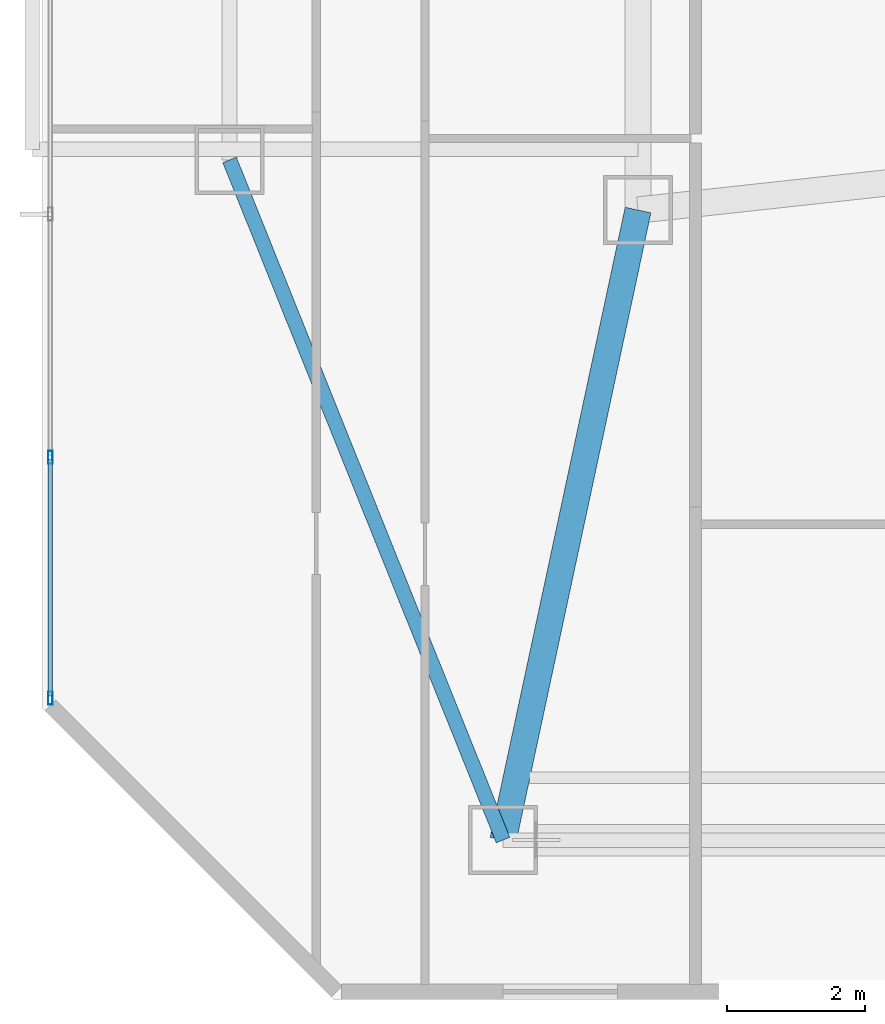
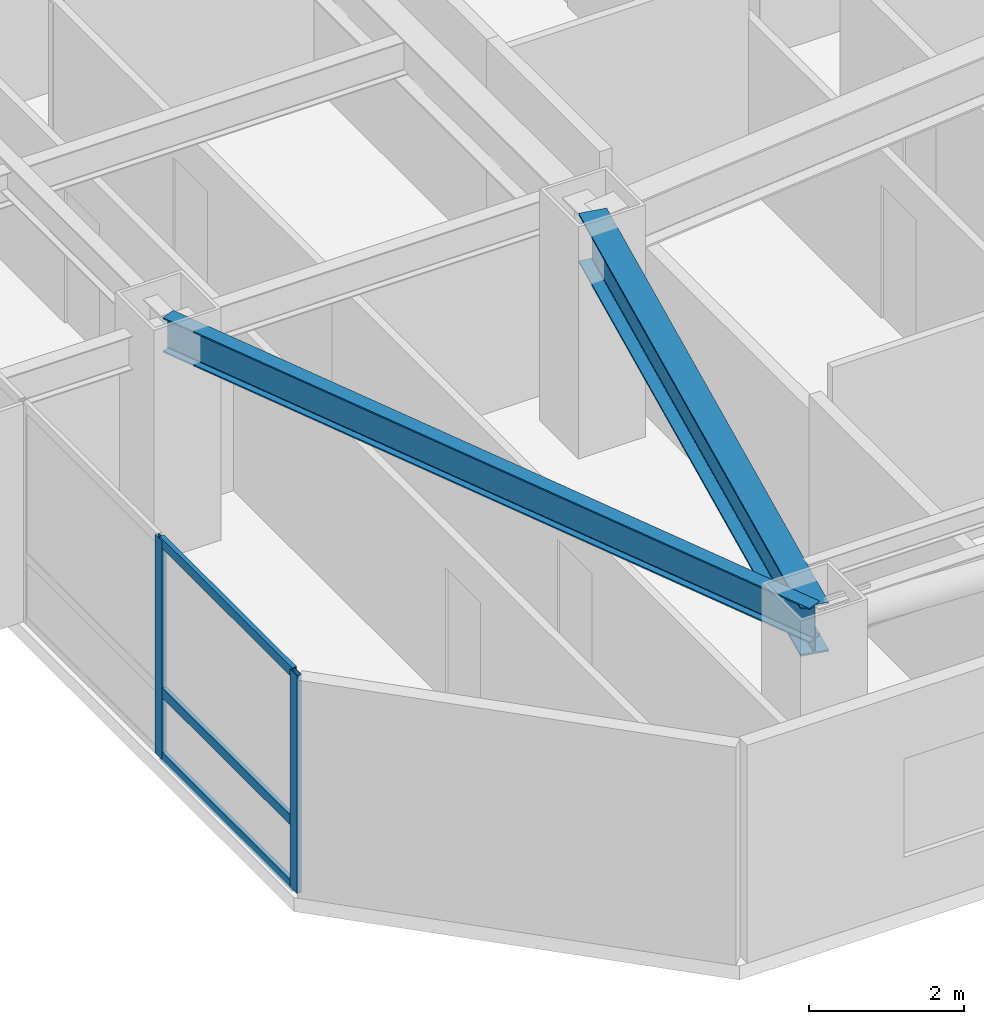
# One storey, part 2 of 18: 5 members, 2 beams, 1 element without a shape of its own.
"""IFC4 building model written with IfcOpenShell, lengths in metres."""

from ifc_helpers import new_model, si_unit, direction, frame, origin, origin_2d, place, context, subcontext, project, spatial, hollow_rectangle, i_section, extrude, material, material_profile, profile_set, type_object, element, aggregate, save


model = new_model("IFC4")

# Units and contexts
model_context = context("Model", 3, precision=1e-05, world=origin(), true_north=direction((0.0, 1.0)))
body_context = subcontext(model_context, "Body", "Model", "MODEL_VIEW")
ifc_project = project(units=[si_unit("LENGTHUNIT", "METRE"), si_unit("AREAUNIT", "SQUARE_METRE"), si_unit("VOLUMEUNIT", "CUBIC_METRE"), si_unit("PLANEANGLEUNIT", "RADIAN"), si_unit("MASSUNIT", "GRAM", prefix="KILO")], contexts=[model_context])

# Site, building, storey
site_placement = place(None, origin())
site = spatial("IfcSite", under=ifc_project, at=site_placement, CompositionType="ELEMENT")
building_placement = place(site_placement, origin())
building = spatial("IfcBuilding", under=site, at=building_placement, Name="Khamvora Tower", CompositionType="ELEMENT")
storey_placement = place(building_placement, frame((0.0, 0.0, 109.199951171875)))
storey = spatial("IfcBuildingStorey", under=building, at=storey_placement, Name="L27", CompositionType="ELEMENT", Elevation=109.199951171875)

# Beams
ifc_material_1 = material(Name="Steel S355", Category="steel")
ifc_material_profile_1 = material_profile(ifc_material_1, i_section(OverallWidth=0.381103515625, OverallDepth=0.77294921875, WebThickness=0.01708984375, FlangeThickness=0.027099609375, FilletRadius=0.01806640625, at=origin_2d()), Name="W760x257")
ifc_profile_set_1 = profile_set([ifc_material_profile_1], Name="Steel S355")
beam_type_1 = type_object("IfcBeamType", Name="BM-PG-W760x257", PredefinedType="BEAM", material=ifc_profile_set_1)
beam_1_placement = place(storey_placement, frame((18.0, 17.800048828125, 3.04296875), z_axis=(-0.209521922673, -0.977803949634, 0.0), x_axis=(0.977803949634, -0.209521922673, 0.0)))
element("IfcBeam", 1, at=beam_1_placement, inside=storey, type_object=beam_type_1, Name="L27 primary floor girder S1", PredefinedType="BEAM", context=body_context, shape_type="SweptSolid", body=[
    extrude(i_section(OverallWidth=0.381103515625, OverallDepth=0.77294921875, WebThickness=0.01708984375, FlangeThickness=0.027099609375, FilletRadius=0.01806640625, at=origin_2d()), origin(), (0.0, 0.0, 1.0), 9.306640625),
])
ifc_material_profile_2 = material_profile(ifc_material_1, i_section(OverallWidth=0.2119140625, OverallDepth=0.5439453125, WebThickness=0.012939453125, FlangeThickness=0.02099609375, FilletRadius=0.013916015625, at=origin_2d()), Name="W530x123")
ifc_profile_set_2 = profile_set([ifc_material_profile_2], Name="Steel S355")
beam_type_2 = type_object("IfcBeamType", Name="BM-SP-W530x123", PredefinedType="SPANDREL", material=ifc_profile_set_2)
beam_2_placement = place(storey_placement, frame((12.10009765625, 18.52490234375, 3.157958984375), z_axis=(0.373015921536, -0.927824941614, 0.0), x_axis=(0.927824941614, 0.373015921536, 0.0)))
element("IfcBeam", 2, at=beam_2_placement, inside=storey, type_object=beam_type_2, Name="L27 perimeter spandrel beam W1-S1", PredefinedType="SPANDREL", context=body_context, shape_type="SweptSolid", body=[
    extrude(i_section(OverallWidth=0.2119140625, OverallDepth=0.5439453125, WebThickness=0.012939453125, FlangeThickness=0.02099609375, FilletRadius=0.013916015625, at=origin_2d()), origin(), (0.0, 0.0, 1.0), 10.589111328125),
])

# Curtain wall, members
ifc_material_2 = material(Name="Anodised Aluminium 6063-T6", Category="aluminium")
curtain_wall_type = type_object("IfcCurtainWallType", Name="CW-SYS-03", PredefinedType="NOTDEFINED", material=ifc_material_2)
curtain_wall_placement = place(storey_placement, origin())
curtain_wall = element("IfcCurtainWall", 3, at=curtain_wall_placement, inside=storey, type_object=curtain_wall_type, Name="L27 stick curtain wall 02.1", PredefinedType="NOTDEFINED")
ifc_material_profile_3 = material_profile(ifc_material_2, hollow_rectangle(XDim=0.06494140625, YDim=0.18994140625, WallThickness=0.0048828125, at=origin_2d()), Name="MUL65x190x5")
ifc_profile_set_3 = profile_set([ifc_material_profile_3], Name="Anodised Aluminium 6063-T6")
member_type_1 = type_object("IfcMemberType", Name="CW-SYS-03-MUL", PredefinedType="MULLION", material=ifc_profile_set_3)
member_1_placement = place(storey_placement, frame((9.510009765625, 10.74951171875, 0.0), z_axis=(0.0, 0.0, 1.0), x_axis=(-1.0, 0.0, 0.0)))
member_1 = element("IfcMember", 4, at=member_1_placement, type_object=member_type_1, Name="CW-03 mullion 1", PredefinedType="MULLION", context=body_context, shape_type="SweptSolid", body=[
    extrude(hollow_rectangle(XDim=0.06494140625, YDim=0.18994140625, WallThickness=0.0048828125, at=origin_2d()), origin(), (0.0, 0.0, 1.0), 3.429931640625),
])
member_2_placement = place(storey_placement, frame((9.510009765625, 14.228515625, 0.0), z_axis=(0.0, 0.0, 1.0), x_axis=(-1.0, 0.0, 0.0)))
member_2 = element("IfcMember", 5, at=member_2_placement, type_object=member_type_1, Name="CW-03 mullion 2", PredefinedType="MULLION", context=body_context, shape_type="SweptSolid", body=[
    extrude(hollow_rectangle(XDim=0.06494140625, YDim=0.18994140625, WallThickness=0.0048828125, at=origin_2d()), origin(), (0.0, 0.0, 1.0), 3.429931640625),
])
ifc_material_profile_4 = material_profile(ifc_material_2, hollow_rectangle(XDim=0.06494140625, YDim=0.155029296875, WallThickness=0.0048828125, at=origin_2d()), Name="TRN65x155x5")
ifc_profile_set_4 = profile_set([ifc_material_profile_4], Name="Anodised Aluminium 6063-T6")
member_type_2 = type_object("IfcMemberType", Name="CW-SYS-03-TRN", PredefinedType="USERDEFINED", material=ifc_profile_set_4)
member_3_placement = place(storey_placement, frame((9.510009765625, 10.781982421875, 0.032470703125), z_axis=(0.0, 1.0, 0.0), x_axis=(-1.0, 0.0, 0.0)))
member_3 = element("IfcMember", 6, at=member_3_placement, type_object=member_type_2, Name="CW-03 transom 1.1", ObjectType="TRANSOM", PredefinedType="USERDEFINED", context=body_context, shape_type="SweptSolid", body=[
    extrude(hollow_rectangle(XDim=0.06494140625, YDim=0.155029296875, WallThickness=0.0048828125, at=origin_2d()), origin(), (0.0, 0.0, 1.0), 3.4140625),
])
member_4_placement = place(storey_placement, frame((9.510009765625, 10.781982421875, 1.050048828125), z_axis=(0.0, 1.0, 0.0), x_axis=(-1.0, 0.0, 0.0)))
member_4 = element("IfcMember", 7, at=member_4_placement, type_object=member_type_2, Name="CW-03 transom 1.2", ObjectType="TRANSOM", PredefinedType="USERDEFINED", context=body_context, shape_type="SweptSolid", body=[
    extrude(hollow_rectangle(XDim=0.06494140625, YDim=0.155029296875, WallThickness=0.0048828125, at=origin_2d()), origin(), (0.0, 0.0, 1.0), 3.4140625),
])
member_5_placement = place(storey_placement, frame((9.510009765625, 10.781982421875, 3.3974609375), z_axis=(0.0, 1.0, 0.0), x_axis=(-1.0, 0.0, 0.0)))
member_5 = element("IfcMember", 8, at=member_5_placement, type_object=member_type_2, Name="CW-03 transom 1.3", ObjectType="TRANSOM", PredefinedType="USERDEFINED", context=body_context, shape_type="SweptSolid", body=[
    extrude(hollow_rectangle(XDim=0.06494140625, YDim=0.155029296875, WallThickness=0.0048828125, at=origin_2d()), origin(), (0.0, 0.0, 1.0), 3.4140625),
])
aggregate(curtain_wall, [member_1, member_2, member_3, member_4, member_5])

save(model, "model.ifc")
